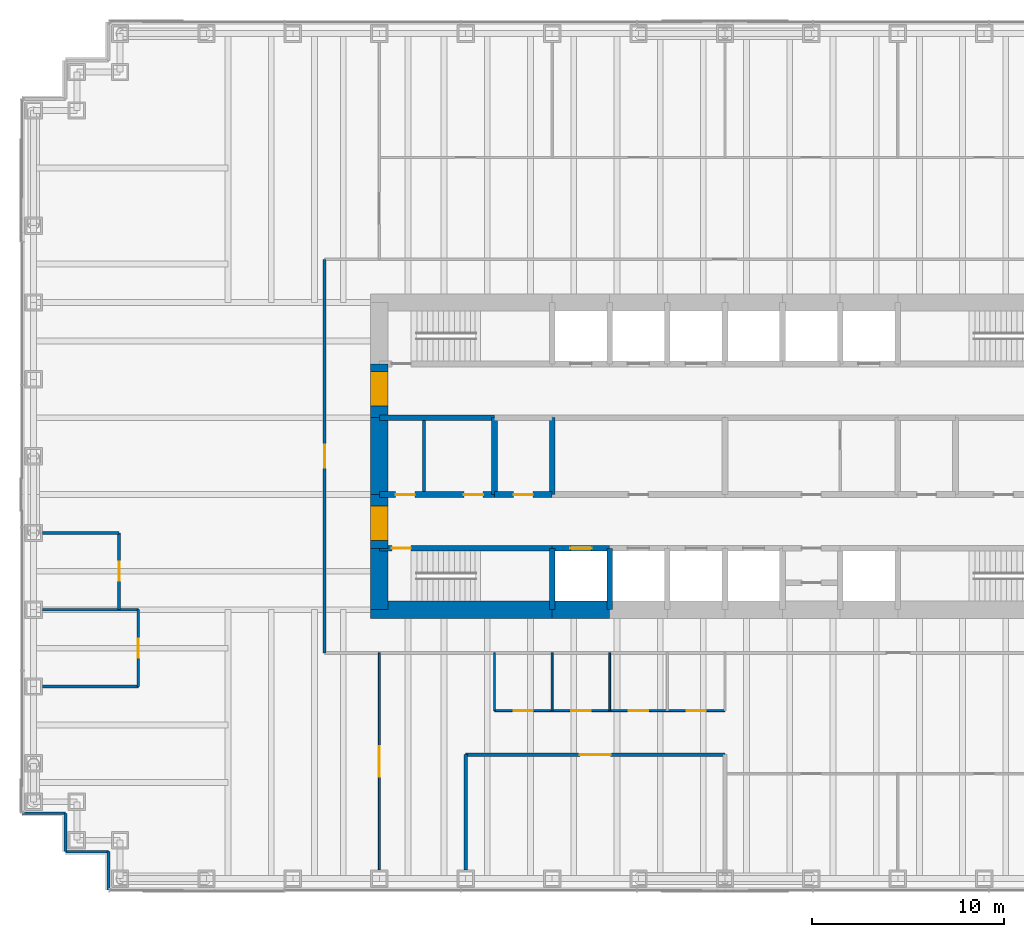
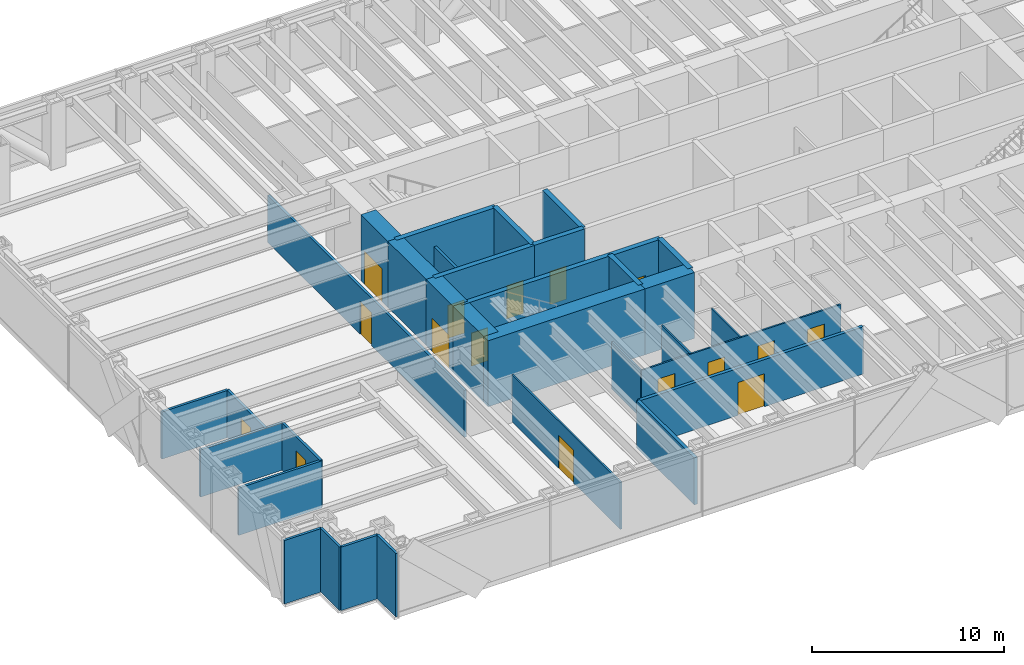
# One storey, part 13 of 17: 33 walls, 16 doors, 16 openings.
"""IFC4 building model written with IfcOpenShell, lengths in metres."""

from ifc_helpers import new_model, si_unit, direction, frame, frame_2d, origin, place, context, subcontext, project, spatial, rectangle, extrude, material, layer, layer_set, type_object, element, fill, save


model = new_model("IFC4")

# Units and contexts
model_context = context("Model", 3, precision=1e-05, world=origin(), true_north=direction((0.0, 1.0)))
body_context = subcontext(model_context, "Body", "Model", "MODEL_VIEW")
ifc_project = project(units=[si_unit("LENGTHUNIT", "METRE"), si_unit("AREAUNIT", "SQUARE_METRE"), si_unit("VOLUMEUNIT", "CUBIC_METRE"), si_unit("PLANEANGLEUNIT", "RADIAN"), si_unit("MASSUNIT", "GRAM", prefix="KILO")], contexts=[model_context])

# Site, building, storey
site_placement = place(None, origin())
site = spatial("IfcSite", under=ifc_project, at=site_placement, CompositionType="ELEMENT")
building_placement = place(site_placement, origin())
building = spatial("IfcBuilding", under=site, at=building_placement, Name="Rheinbord Bourse Tower", CompositionType="ELEMENT")
storey_placement = place(building_placement, frame((0.0, 0.0, 121.5)))
storey = spatial("IfcBuildingStorey", under=building, at=storey_placement, Name="L26", CompositionType="ELEMENT", Elevation=121.5)

# Wall, opening, door
ifc_material_1 = material(Name="Acoustic gypsum board partition", Category="gypsum board")
ifc_layer_1 = layer(ifc_material_1, 0.199951171875)
ifc_layer_set_1 = layer_set([ifc_layer_1], Name="ACOUSTIC PARTITION 200")
wall_type_1 = type_object("IfcWallType", Name="ACOUSTIC PARTITION 200", PredefinedType="PARTITIONING", material=ifc_layer_set_1)
wall_1_placement = place(storey_placement, frame((22.5, 8.449951171875, 0.0), z_axis=(0.0, 0.0, 1.0), x_axis=(1.0, 0.0, 0.0)))
wall_1 = element("IfcWall", 1, at=wall_1_placement, inside=storey, type_object=wall_type_1, Name="Partition L26-02", PredefinedType="PARTITIONING", context=body_context, shape_type="SweptSolid", body=[
    extrude(rectangle(XDim=13.5, YDim=0.199951171875, at=frame_2d((6.75, 0.0))), origin(), (0.0, 0.0, 1.0), 3.0),
])
opening_1_placement = place(wall_1_placement, frame((5.949951171875, 0.0, 0.0)))
opening_1 = element("IfcOpeningElement", 2, at=opening_1_placement, cuts=wall_1, Name="Opening 26D03", PredefinedType="OPENING", context=body_context, shape_type="SweptSolid", body=[
    extrude(rectangle(XDim=1.60009765625, YDim=2.10009765625, at=frame_2d((0.800048828125, 1.050048828125))), frame((0.0, 0.10986328125, 0.0), z_axis=(0.0, -1.0, 0.0), x_axis=(1.0, 0.0, 0.0)), (0.0, 0.0, 1.0), 0.219970703125),
])
ifc_material_2 = material(Name="Timber door", Category="wood")
door_type_1 = type_object("IfcDoorType", Name="DOUBLE ROOM DOOR 1600", OperationType="DOUBLE_DOOR_DOUBLE_SWING", PredefinedType="DOOR", material=ifc_material_2)
door_1_placement = place(opening_1_placement, origin())
door_1 = element("IfcDoor", 3, at=door_1_placement, inside=storey, type_object=door_type_1, Name="Test laboratory door L26", OperationType="SINGLE_SWING_LEFT", OverallHeight=2.10009765625, OverallWidth=1.60009765625, PredefinedType="DOOR", context=body_context, shape_type="SweptSolid", body=[
    extrude(rectangle(XDim=1.60009765625, YDim=2.10009765625, at=frame_2d((0.800048828125, 1.050048828125))), frame((0.0, 0.02490234375, 0.0), z_axis=(0.0, -1.0, 0.0), x_axis=(1.0, 0.0, 0.0)), (0.0, 0.0, 1.0), 0.050048828125),
])
fill(opening_1, door_1)

# Wall
wall_2_placement = place(storey_placement, frame((22.5, 2.449951171875, 0.0), z_axis=(0.0, 0.0, 1.0), x_axis=(0.0, 1.0, 0.0)))
element("IfcWall", 4, at=wall_2_placement, inside=storey, type_object=wall_type_1, Name="Partition L26-17", PredefinedType="PARTITIONING", context=body_context, shape_type="SweptSolid", body=[
    extrude(rectangle(XDim=6.0, YDim=0.199951171875, at=frame_2d((3.0, 0.0))), origin(), (0.0, 0.0, 1.0), 3.0),
])

# Wall, opening, door
ifc_material_3 = material(Name="Concrete C50/60", Category="concrete")
ifc_layer_2 = layer(ifc_material_3, 0.300048828125)
ifc_layer_set_2 = layer_set([ifc_layer_2], Name="CORE INNER WALL 300")
wall_type_2 = type_object("IfcWallType", Name="CORE INNER WALL 300", PredefinedType="SOLIDWALL", material=ifc_layer_set_2)
wall_3_placement = place(storey_placement, frame((18.0, 19.199951171875, 0.0), z_axis=(0.0, 0.0, 1.0), x_axis=(1.0, 0.0, 0.0)))
wall_3 = element("IfcWall", 5, at=wall_3_placement, inside=storey, type_object=wall_type_2, Name="Core wall A1 L26", PredefinedType="SOLIDWALL", context=body_context, shape_type="SweptSolid", body=[
    extrude(rectangle(XDim=9.0, YDim=0.300048828125, at=frame_2d((4.5, 0.0))), origin(), (0.0, 0.0, 1.0), 4.199951171875),
])
opening_2_placement = place(wall_3_placement, frame((0.64990234375, 0.0, 0.0)))
opening_2 = element("IfcOpeningElement", 6, at=opening_2_placement, cuts=wall_3, Name="Opening 2610", PredefinedType="OPENING", context=body_context, shape_type="SweptSolid", body=[
    extrude(rectangle(XDim=1.0, YDim=2.10009765625, at=frame_2d((0.5, 1.050048828125))), frame((0.0, 0.159912109375, 0.0), z_axis=(0.0, -1.0, 0.0), x_axis=(1.0, 0.0, 0.0)), (0.0, 0.0, 1.0), 0.320068359375),
])
ifc_material_4 = material(Name="Steel door", Category="steel")
door_type_2 = type_object("IfcDoorType", Name="DOOR 1000 EI30", OperationType="SINGLE_SWING_LEFT", PredefinedType="DOOR", material=ifc_material_4)
door_2_placement = place(opening_2_placement, origin())
door_2 = element("IfcDoor", 7, at=door_2_placement, inside=storey, type_object=door_type_2, Name="Stair door ST1 L26", OperationType="SINGLE_SWING_LEFT", OverallHeight=2.10009765625, OverallWidth=1.0, PredefinedType="DOOR", context=body_context, shape_type="SweptSolid", body=[
    extrude(rectangle(XDim=1.0, YDim=2.10009765625, at=frame_2d((0.5, 1.050048828125))), frame((0.0, 0.02490234375, 0.0), z_axis=(0.0, -1.0, 0.0), x_axis=(1.0, 0.0, 0.0)), (0.0, 0.0, 1.0), 0.050048828125),
])
fill(opening_2, door_2)

wall_4_placement = place(storey_placement, frame((27.0, 19.199951171875, 0.0), z_axis=(0.0, 0.0, 1.0), x_axis=(1.0, 0.0, 0.0)))
wall_4 = element("IfcWall", 8, at=wall_4_placement, inside=storey, type_object=wall_type_2, Name="Core wall A2 L26", PredefinedType="SOLIDWALL", context=body_context, shape_type="SweptSolid", body=[
    extrude(rectangle(XDim=3.0, YDim=0.300048828125, at=frame_2d((1.5, 0.0))), origin(), (0.0, 0.0, 1.0), 4.199951171875),
])
opening_3_placement = place(wall_4_placement, frame((0.949951171875, 0.0, 0.0)))
opening_3 = element("IfcOpeningElement", 9, at=opening_3_placement, cuts=wall_4, Name="Opening FL1", PredefinedType="OPENING", context=body_context, shape_type="SweptSolid", body=[
    extrude(rectangle(XDim=1.10009765625, YDim=2.199951171875, at=frame_2d((0.550048828125, 1.10009765625))), frame((0.0, 0.159912109375, 0.0), z_axis=(0.0, -1.0, 0.0), x_axis=(1.0, 0.0, 0.0)), (0.0, 0.0, 1.0), 0.320068359375),
])
ifc_material_5 = material(Name="Steel landing door", Category="steel")
door_type_3 = type_object("IfcDoorType", Name="LIFT LANDING DOOR 1100", OperationType="DOUBLE_DOOR_SLIDING", PredefinedType="USERDEFINED", material=ifc_material_5)
door_3_placement = place(opening_3_placement, origin())
door_3 = element("IfcDoor", 10, at=door_3_placement, inside=storey, type_object=door_type_3, Name="Lift landing door FL1 L26", ObjectType="LIFT LANDING DOOR", OperationType="DOUBLE_DOOR_SLIDING", OverallHeight=2.199951171875, OverallWidth=1.10009765625, PredefinedType="USERDEFINED", context=body_context, shape_type="SweptSolid", body=[
    extrude(rectangle(XDim=1.10009765625, YDim=2.199951171875, at=frame_2d((0.550048828125, 1.10009765625))), frame((0.0, 0.02490234375, 0.0), z_axis=(0.0, -1.0, 0.0), x_axis=(1.0, 0.0, 0.0)), (0.0, 0.0, 1.0), 0.050048828125),
])
fill(opening_3, door_3)

# Wall, openings, doors
wall_5_placement = place(storey_placement, frame((18.0, 22.0, 0.0), z_axis=(0.0, 0.0, 1.0), x_axis=(1.0, 0.0, 0.0)))
wall_5 = element("IfcWall", 11, at=wall_5_placement, inside=storey, type_object=wall_type_2, Name="Core wall C1 L26", PredefinedType="SOLIDWALL", context=body_context, shape_type="SweptSolid", body=[
    extrude(rectangle(XDim=6.0, YDim=0.300048828125, at=frame_2d((3.0, 0.0))), origin(), (0.0, 0.0, 1.0), 4.199951171875),
])
opening_4_placement = place(wall_5_placement, frame((4.39990234375, 0.0, 0.0)))
opening_4 = element("IfcOpeningElement", 12, at=opening_4_placement, cuts=wall_5, Name="Opening 26R1", PredefinedType="OPENING", context=body_context, shape_type="SweptSolid", body=[
    extrude(rectangle(XDim=1.0, YDim=2.10009765625, at=frame_2d((0.5, 1.050048828125))), frame((0.0, 0.159912109375, 0.0), z_axis=(0.0, -1.0, 0.0), x_axis=(1.0, 0.0, 0.0)), (0.0, 0.0, 1.0), 0.320068359375),
])
opening_5_placement = place(wall_5_placement, frame((0.85009765625, 0.0, 0.0)))
opening_5 = element("IfcOpeningElement", 13, at=opening_5_placement, cuts=wall_5, Name="Opening 26R9", PredefinedType="OPENING", context=body_context, shape_type="SweptSolid", body=[
    extrude(rectangle(XDim=1.0, YDim=2.10009765625, at=frame_2d((0.5, 1.050048828125))), frame((0.0, 0.159912109375, 0.0), z_axis=(0.0, -1.0, 0.0), x_axis=(1.0, 0.0, 0.0)), (0.0, 0.0, 1.0), 0.320068359375),
])
door_4_placement = place(opening_5_placement, origin())
door_4 = element("IfcDoor", 14, at=door_4_placement, inside=storey, type_object=door_type_2, Name="Staff shower door L26", OperationType="SINGLE_SWING_LEFT", OverallHeight=2.10009765625, OverallWidth=1.0, PredefinedType="DOOR", context=body_context, shape_type="SweptSolid", body=[
    extrude(rectangle(XDim=1.0, YDim=2.10009765625, at=frame_2d((0.5, 1.050048828125))), frame((0.0, 0.02490234375, 0.0), z_axis=(0.0, -1.0, 0.0), x_axis=(1.0, 0.0, 0.0)), (0.0, 0.0, 1.0), 0.050048828125),
])
fill(opening_5, door_4)
ifc_material_6 = material(Name="Timber door", Category="wood")
door_type_4 = type_object("IfcDoorType", Name="DOOR 1000 WC", OperationType="SINGLE_SWING_LEFT", PredefinedType="DOOR", material=ifc_material_6)
door_5_placement = place(opening_4_placement, origin())
door_5 = element("IfcDoor", 15, at=door_5_placement, inside=storey, type_object=door_type_4, Name="WC men door L26", OperationType="SINGLE_SWING_RIGHT", OverallHeight=2.10009765625, OverallWidth=1.0, PredefinedType="DOOR", context=body_context, shape_type="SweptSolid", body=[
    extrude(rectangle(XDim=1.0, YDim=2.10009765625, at=frame_2d((0.5, 1.050048828125))), frame((0.0, 0.02490234375, 0.0), z_axis=(0.0, -1.0, 0.0), x_axis=(1.0, 0.0, 0.0)), (0.0, 0.0, 1.0), 0.050048828125),
])
fill(opening_4, door_5)

# Wall, opening, door
wall_6_placement = place(storey_placement, frame((24.0, 22.0, 0.0), z_axis=(0.0, 0.0, 1.0), x_axis=(1.0, 0.0, 0.0)))
wall_6 = element("IfcWall", 16, at=wall_6_placement, inside=storey, type_object=wall_type_2, Name="Core wall C2 L26", PredefinedType="SOLIDWALL", context=body_context, shape_type="SweptSolid", body=[
    extrude(rectangle(XDim=3.0, YDim=0.300048828125, at=frame_2d((1.5, 0.0))), origin(), (0.0, 0.0, 1.0), 4.199951171875),
])
opening_6_placement = place(wall_6_placement, frame((1.0, 0.0, 0.0)))
opening_6 = element("IfcOpeningElement", 17, at=opening_6_placement, cuts=wall_6, Name="Opening 26R2", PredefinedType="OPENING", context=body_context, shape_type="SweptSolid", body=[
    extrude(rectangle(XDim=1.0, YDim=2.10009765625, at=frame_2d((0.5, 1.050048828125))), frame((0.0, 0.159912109375, 0.0), z_axis=(0.0, -1.0, 0.0), x_axis=(1.0, 0.0, 0.0)), (0.0, 0.0, 1.0), 0.320068359375),
])
door_6_placement = place(opening_6_placement, origin())
door_6 = element("IfcDoor", 18, at=door_6_placement, inside=storey, type_object=door_type_4, Name="Accessible WC door L26", OperationType="SINGLE_SWING_LEFT", OverallHeight=2.10009765625, OverallWidth=1.0, PredefinedType="DOOR", context=body_context, shape_type="SweptSolid", body=[
    extrude(rectangle(XDim=1.0, YDim=2.10009765625, at=frame_2d((0.5, 1.050048828125))), frame((0.0, 0.02490234375, 0.0), z_axis=(0.0, -1.0, 0.0), x_axis=(1.0, 0.0, 0.0)), (0.0, 0.0, 1.0), 0.050048828125),
])
fill(opening_6, door_6)

# Walls
wall_7_placement = place(storey_placement, frame((18.0, 26.0, 0.0), z_axis=(0.0, 0.0, 1.0), x_axis=(1.0, 0.0, 0.0)))
element("IfcWall", 19, at=wall_7_placement, inside=storey, type_object=wall_type_2, Name="Core wall D1 L26", PredefinedType="SOLIDWALL", context=body_context, shape_type="SweptSolid", body=[
    extrude(rectangle(XDim=6.0, YDim=0.300048828125, at=frame_2d((3.0, 0.0))), origin(), (0.0, 0.0, 1.0), 4.199951171875),
])
for number, where, z_axis, x_axis, name in (
    (20, (27.0, 16.0, 0.0), (0.0, 0.0, 1.0), (0.0, 1.0, 0.0), "Core wall SX27 L26"),
    (21, (30.0, 16.0, 0.0), (0.0, 0.0, 1.0), (0.0, 1.0, 0.0), "Core wall SX30 L26"),
):
    element("IfcWall", number, at=place(storey_placement, frame(where, z_axis=z_axis, x_axis=x_axis)), inside=storey, type_object=wall_type_2, Name=name, PredefinedType="SOLIDWALL", context=body_context, shape_type="SweptSolid", body=[
        extrude(rectangle(XDim=3.199951171875, YDim=0.300048828125, at=frame_2d((1.60009765625, 0.0))), origin(), (0.0, 0.0, 1.0), 4.199951171875),
    ])
for number, where, z_axis, x_axis, name in (
    (22, (24.0, 22.0, 0.0), (0.0, 0.0, 1.0), (0.0, 1.0, 0.0), "Core wall MX24 L26"),
    (23, (27.0, 22.0, 0.0), (0.0, 0.0, 1.0), (0.0, 1.0, 0.0), "Core wall MX27 L26"),
):
    element("IfcWall", number, at=place(storey_placement, frame(where, z_axis=z_axis, x_axis=x_axis)), inside=storey, type_object=wall_type_2, Name=name, PredefinedType="SOLIDWALL", context=body_context, shape_type="SweptSolid", body=[
        extrude(rectangle(XDim=4.0, YDim=0.300048828125, at=frame_2d((2.0, 0.0))), origin(), (0.0, 0.0, 1.0), 4.199951171875),
    ])
ifc_material_7 = material(Name="Gypsum board fire partition", Category="gypsum board")
ifc_layer_3 = layer(ifc_material_7, 0.14990234375)
ifc_layer_set_3 = layer_set([ifc_layer_3], Name="CORE PARTITION 150 EI30")
wall_type_3 = type_object("IfcWallType", Name="CORE PARTITION 150 EI30", PredefinedType="PARTITIONING", material=ifc_layer_set_3)
wall_8_placement = place(storey_placement, frame((20.324951171875, 22.14990234375, 0.0), z_axis=(0.0, 0.0, 1.0), x_axis=(0.0, 1.0, 0.0)))
element("IfcWall", 24, at=wall_8_placement, inside=storey, type_object=wall_type_3, Name="Core partition L26-2", PredefinedType="PARTITIONING", context=body_context, shape_type="SweptSolid", body=[
    extrude(rectangle(XDim=3.7001953125, YDim=0.14990234375, at=frame_2d((1.85009765625, 0.0))), origin(), (0.0, 0.0, 1.0), 3.0),
])
ifc_material_8 = material(Name="Concrete C50/60", Category="concrete")
ifc_layer_4 = layer(ifc_material_8, 0.89990234375)
ifc_layer_set_4 = layer_set([ifc_layer_4], Name="CORE WALL 900")
wall_type_4 = type_object("IfcWallType", Name="CORE WALL 900", PredefinedType="SHEAR", material=ifc_layer_set_4)
wall_9_placement = place(storey_placement, frame((17.550048828125, 16.0, 0.0), z_axis=(0.0, 0.0, 1.0), x_axis=(1.0, 0.0, 0.0)))
element("IfcWall", 25, at=wall_9_placement, inside=storey, type_object=wall_type_4, Name="Core wall S1 L26", PredefinedType="SHEAR", context=body_context, shape_type="SweptSolid", body=[
    extrude(rectangle(XDim=9.449951171875, YDim=0.89990234375, at=frame_2d((4.72509765625, 0.0))), origin(), (0.0, 0.0, 1.0), 4.199951171875),
])
wall_10_placement = place(storey_placement, frame((27.0, 16.0, 0.0), z_axis=(0.0, 0.0, 1.0), x_axis=(1.0, 0.0, 0.0)))
element("IfcWall", 26, at=wall_10_placement, inside=storey, type_object=wall_type_4, Name="Core wall S2 L26", PredefinedType="SHEAR", context=body_context, shape_type="SweptSolid", body=[
    extrude(rectangle(XDim=3.0, YDim=0.89990234375, at=frame_2d((1.5, 0.0))), origin(), (0.0, 0.0, 1.0), 4.199951171875),
])

# Wall, opening, door
wall_11_placement = place(storey_placement, frame((18.0, 28.800048828125, 0.0), z_axis=(0.0, 0.0, 1.0), x_axis=(0.0, -1.0, 0.0)))
wall_11 = element("IfcWall", 27, at=wall_11_placement, inside=storey, type_object=wall_type_4, Name="Core wall W2 L26", PredefinedType="SHEAR", context=body_context, shape_type="SweptSolid", body=[
    extrude(rectangle(XDim=2.800048828125, YDim=0.89990234375, at=frame_2d((1.39990234375, 0.0))), origin(), (0.0, 0.0, 1.0), 4.199951171875),
])
opening_7_placement = place(wall_11_placement, frame((0.39990234375, 0.0, 0.0)))
opening_7 = element("IfcOpeningElement", 28, at=opening_7_placement, cuts=wall_11, Name="Opening 26L2", PredefinedType="OPENING", context=body_context, shape_type="SweptSolid", body=[
    extrude(rectangle(XDim=1.800048828125, YDim=2.10009765625, at=frame_2d((0.89990234375, 1.050048828125))), frame((0.0, 0.4599609375, 0.0), z_axis=(0.0, -1.0, 0.0), x_axis=(1.0, 0.0, 0.0)), (0.0, 0.0, 1.0), 0.919921875),
])
ifc_material_9 = material(Name="Steel door", Category="steel")
door_type_5 = type_object("IfcDoorType", Name="DOOR 1800 EI30 DOUBLE", OperationType="DOUBLE_DOOR_DOUBLE_SWING", PredefinedType="DOOR", material=ifc_material_9)
door_7_placement = place(opening_7_placement, origin())
door_7 = element("IfcDoor", 29, at=door_7_placement, inside=storey, type_object=door_type_5, Name="Lobby door 2 L26", OperationType="SINGLE_SWING_LEFT", OverallHeight=2.10009765625, OverallWidth=1.800048828125, PredefinedType="DOOR", context=body_context, shape_type="SweptSolid", body=[
    extrude(rectangle(XDim=1.800048828125, YDim=2.10009765625, at=frame_2d((0.89990234375, 1.050048828125))), frame((0.0, 0.44970703125, 0.0), z_axis=(0.0, -1.0, 0.0), x_axis=(1.0, 0.0, 0.0)), (0.0, 0.0, 1.0), 0.8994140625),
])
fill(opening_7, door_7)

# Wall
wall_12_placement = place(storey_placement, frame((18.0, 26.0, 0.0), z_axis=(0.0, 0.0, 1.0), x_axis=(0.0, -1.0, 0.0)))
element("IfcWall", 30, at=wall_12_placement, inside=storey, type_object=wall_type_4, Name="Core wall W3 L26", PredefinedType="SHEAR", context=body_context, shape_type="SweptSolid", body=[
    extrude(rectangle(XDim=4.0, YDim=0.89990234375, at=frame_2d((2.0, 0.0))), origin(), (0.0, 0.0, 1.0), 4.199951171875),
])

# Wall, opening, door
wall_13_placement = place(storey_placement, frame((18.0, 22.0, 0.0), z_axis=(0.0, 0.0, 1.0), x_axis=(0.0, -1.0, 0.0)))
wall_13 = element("IfcWall", 31, at=wall_13_placement, inside=storey, type_object=wall_type_4, Name="Core wall W4 L26", PredefinedType="SHEAR", context=body_context, shape_type="SweptSolid", body=[
    extrude(rectangle(XDim=2.800048828125, YDim=0.89990234375, at=frame_2d((1.39990234375, 0.0))), origin(), (0.0, 0.0, 1.0), 4.199951171875),
])
opening_8_placement = place(wall_13_placement, frame((0.60009765625, 0.0, 0.0)))
opening_8 = element("IfcOpeningElement", 32, at=opening_8_placement, cuts=wall_13, Name="Opening 26L1", PredefinedType="OPENING", context=body_context, shape_type="SweptSolid", body=[
    extrude(rectangle(XDim=1.800048828125, YDim=2.10009765625, at=frame_2d((0.89990234375, 1.050048828125))), frame((0.0, 0.4599609375, 0.0), z_axis=(0.0, -1.0, 0.0), x_axis=(1.0, 0.0, 0.0)), (0.0, 0.0, 1.0), 0.919921875),
])
door_8_placement = place(opening_8_placement, origin())
door_8 = element("IfcDoor", 33, at=door_8_placement, inside=storey, type_object=door_type_5, Name="Lobby door 1 L26", OperationType="SINGLE_SWING_LEFT", OverallHeight=2.10009765625, OverallWidth=1.800048828125, PredefinedType="DOOR", context=body_context, shape_type="SweptSolid", body=[
    extrude(rectangle(XDim=1.800048828125, YDim=2.10009765625, at=frame_2d((0.89990234375, 1.050048828125))), frame((0.0, 0.44970703125, 0.0), z_axis=(0.0, -1.0, 0.0), x_axis=(1.0, 0.0, 0.0)), (0.0, 0.0, 1.0), 0.8994140625),
])
fill(opening_8, door_8)

# Walls
wall_14_placement = place(storey_placement, frame((18.0, 19.199951171875, 0.0), z_axis=(0.0, 0.0, 1.0), x_axis=(0.0, -1.0, 0.0)))
element("IfcWall", 34, at=wall_14_placement, inside=storey, type_object=wall_type_4, Name="Core wall W5 L26", PredefinedType="SHEAR", context=body_context, shape_type="SweptSolid", body=[
    extrude(rectangle(XDim=3.199951171875, YDim=0.89990234375, at=frame_2d((1.60009765625, 0.0))), origin(), (0.0, 0.0, 1.0), 4.199951171875),
])
ifc_material_10 = material(Name="Black metal rainscreen panel", Category="aluminium")
ifc_layer_5 = layer(ifc_material_10, 0.14990234375)
ifc_layer_set_5 = layer_set([ifc_layer_5], Name="CORNER PIER CLADDING 150")
wall_type_5 = type_object("IfcWallType", Name="CORNER PIER CLADDING 150", PredefinedType="ELEMENTEDWALL", material=ifc_layer_set_5)
wall_15_placement = place(storey_placement, frame((-0.60009765625, 5.39990234375, 0.0), z_axis=(0.0, 0.0, 1.0), x_axis=(1.0, 0.0, 0.0)))
element("IfcWall", 35, at=wall_15_placement, inside=storey, type_object=wall_type_5, Name="Corner pier cladding L26 17", PredefinedType="ELEMENTEDWALL", context=body_context, shape_type="SweptSolid", body=[
    extrude(rectangle(XDim=2.25, YDim=0.14990234375, at=frame_2d((1.125, 0.0))), origin(), (0.0, 0.0, 1.0), 4.0400390625),
])
wall_16_placement = place(storey_placement, frame((1.64990234375, 5.39990234375, 0.0), z_axis=(0.0, 0.0, 1.0), x_axis=(0.0, -1.0, 0.0)))
element("IfcWall", 36, at=wall_16_placement, inside=storey, type_object=wall_type_5, Name="Corner pier cladding L26 18", PredefinedType="ELEMENTEDWALL", context=body_context, shape_type="SweptSolid", body=[
    extrude(rectangle(XDim=2.0, YDim=0.14990234375, at=frame_2d((1.0, 0.0))), origin(), (0.0, 0.0, 1.0), 4.0400390625),
])
wall_17_placement = place(storey_placement, frame((1.64990234375, 3.39990234375, 0.0), z_axis=(0.0, 0.0, 1.0), x_axis=(1.0, 0.0, 0.0)))
element("IfcWall", 37, at=wall_17_placement, inside=storey, type_object=wall_type_5, Name="Corner pier cladding L26 19", PredefinedType="ELEMENTEDWALL", context=body_context, shape_type="SweptSolid", body=[
    extrude(rectangle(XDim=2.25, YDim=0.14990234375, at=frame_2d((1.125, 0.0))), origin(), (0.0, 0.0, 1.0), 4.0400390625),
])
wall_18_placement = place(storey_placement, frame((3.89990234375, 3.39990234375, 0.0), z_axis=(0.0, 0.0, 1.0), x_axis=(0.0, -1.0, 0.0)))
element("IfcWall", 38, at=wall_18_placement, inside=storey, type_object=wall_type_5, Name="Corner pier cladding L26 20", PredefinedType="ELEMENTEDWALL", context=body_context, shape_type="SweptSolid", body=[
    extrude(rectangle(XDim=2.0, YDim=0.14990234375, at=frame_2d((1.0, 0.0))), origin(), (0.0, 0.0, 1.0), 4.0400390625),
])

# Wall, opening, door
ifc_material_11 = material(Name="Gypsum board corridor partition", Category="gypsum board")
ifc_layer_6 = layer(ifc_material_11, 0.14990234375)
ifc_layer_set_6 = layer_set([ifc_layer_6], Name="CORRIDOR PARTITION 150 EI30")
wall_type_6 = type_object("IfcWallType", Name="CORRIDOR PARTITION 150 EI30", PredefinedType="PARTITIONING", material=ifc_layer_set_6)
wall_19_placement = place(storey_placement, frame((15.14990234375, 13.75, 0.0), z_axis=(0.0, 0.0, 1.0), x_axis=(0.0, 1.0, 0.0)))
wall_19 = element("IfcWall", 39, at=wall_19_placement, inside=storey, type_object=wall_type_6, Name="Partition L26-14", PredefinedType="PARTITIONING", context=body_context, shape_type="SweptSolid", body=[
    extrude(rectangle(XDim=20.5, YDim=0.14990234375, at=frame_2d((10.25, 0.0))), origin(), (0.0, 0.0, 1.0), 3.0),
])
opening_9_placement = place(wall_19_placement, frame((9.64990234375, 0.0, 0.0)))
opening_9 = element("IfcOpeningElement", 40, at=opening_9_placement, cuts=wall_19, Name="Opening 26D19", PredefinedType="OPENING", context=body_context, shape_type="SweptSolid", body=[
    extrude(rectangle(XDim=1.199951171875, YDim=2.10009765625, at=frame_2d((0.60009765625, 1.050048828125))), frame((0.0, 0.0849609375, 0.0), z_axis=(0.0, -1.0, 0.0), x_axis=(1.0, 0.0, 0.0)), (0.0, 0.0, 1.0), 0.169921875),
])
ifc_material_12 = material(Name="Timber fire door", Category="wood")
door_type_6 = type_object("IfcDoorType", Name="SUITE ENTRANCE DOOR 1200 EI30", OperationType="SINGLE_SWING_LEFT", PredefinedType="DOOR", material=ifc_material_12)
door_9_placement = place(opening_9_placement, origin())
door_9 = element("IfcDoor", 41, at=door_9_placement, inside=storey, type_object=door_type_6, Name="Suite entrance 1 door L26", OperationType="SINGLE_SWING_LEFT", OverallHeight=2.10009765625, OverallWidth=1.199951171875, PredefinedType="DOOR", context=body_context, shape_type="SweptSolid", body=[
    extrude(rectangle(XDim=1.199951171875, YDim=2.10009765625, at=frame_2d((0.60009765625, 1.050048828125))), frame((0.0, 0.02490234375, 0.0), z_axis=(0.0, -1.0, 0.0), x_axis=(1.0, 0.0, 0.0)), (0.0, 0.0, 1.0), 0.050048828125),
])
fill(opening_9, door_9)

# Walls
ifc_material_13 = material(Name="Gypsum board fire partition", Category="gypsum board")
ifc_layer_7 = layer(ifc_material_13, 0.14990234375)
ifc_layer_set_7 = layer_set([ifc_layer_7], Name="FIRE PARTITION 150 EI60")
wall_type_7 = type_object("IfcWallType", Name="FIRE PARTITION 150 EI60", PredefinedType="PARTITIONING", material=ifc_layer_set_7)
for number, where, z_axis, x_axis, name in (
    (42, (0.449951171875, 12.0, 0.0), (0.0, 0.0, 1.0), (1.0, 0.0, 0.0), "Partition L26-04"),
    (43, (0.449951171875, 16.0, 0.0), (0.0, 0.0, 1.0), (1.0, 0.0, 0.0), "Partition L26-06"),
):
    element("IfcWall", number, at=place(storey_placement, frame(where, z_axis=z_axis, x_axis=x_axis)), inside=storey, type_object=wall_type_7, Name=name, PredefinedType="PARTITIONING", context=body_context, shape_type="SweptSolid", body=[
        extrude(rectangle(XDim=5.0, YDim=0.14990234375, at=frame_2d((2.5, 0.0))), origin(), (0.0, 0.0, 1.0), 3.0),
    ])

# Wall, opening, door
wall_20_placement = place(storey_placement, frame((5.449951171875, 12.0, 0.0), z_axis=(0.0, 0.0, 1.0), x_axis=(0.0, 1.0, 0.0)))
wall_20 = element("IfcWall", 44, at=wall_20_placement, inside=storey, type_object=wall_type_7, Name="Partition L26-13", PredefinedType="PARTITIONING", context=body_context, shape_type="SweptSolid", body=[
    extrude(rectangle(XDim=4.0, YDim=0.14990234375, at=frame_2d((2.0, 0.0))), origin(), (0.0, 0.0, 1.0), 3.0),
])
opening_10_placement = place(wall_20_placement, frame((1.5, 0.0, 0.0)))
opening_10 = element("IfcOpeningElement", 45, at=opening_10_placement, cuts=wall_20, Name="Opening 26D08", PredefinedType="OPENING", context=body_context, shape_type="SweptSolid", body=[
    extrude(rectangle(XDim=1.0, YDim=2.10009765625, at=frame_2d((0.5, 1.050048828125))), frame((0.0, 0.0849609375, 0.0), z_axis=(0.0, -1.0, 0.0), x_axis=(1.0, 0.0, 0.0)), (0.0, 0.0, 1.0), 0.169921875),
])
ifc_material_14 = material(Name="Timber fire door", Category="wood")
door_type_7 = type_object("IfcDoorType", Name="FIRE DOOR 1000 EI60", OperationType="SINGLE_SWING_LEFT", PredefinedType="DOOR", material=ifc_material_14)
door_10_placement = place(opening_10_placement, origin())
door_10 = element("IfcDoor", 46, at=door_10_placement, inside=storey, type_object=door_type_7, Name="Server staging room door L26", OperationType="SINGLE_SWING_LEFT", OverallHeight=2.10009765625, OverallWidth=1.0, PredefinedType="DOOR", context=body_context, shape_type="SweptSolid", body=[
    extrude(rectangle(XDim=1.0, YDim=2.10009765625, at=frame_2d((0.5, 1.050048828125))), frame((0.0, 0.02490234375, 0.0), z_axis=(0.0, -1.0, 0.0), x_axis=(1.0, 0.0, 0.0)), (0.0, 0.0, 1.0), 0.050048828125),
])
fill(opening_10, door_10)

# Wall, openings, doors
ifc_material_15 = material(Name="Toughened laminated glass partition", Category="glass")
ifc_layer_8 = layer(ifc_material_15, 0.10009765625)
ifc_layer_set_8 = layer_set([ifc_layer_8], Name="GLAZED PARTITION 100")
wall_type_8 = type_object("IfcWallType", Name="GLAZED PARTITION 100", PredefinedType="PARTITIONING", material=ifc_layer_set_8)
wall_21_placement = place(storey_placement, frame((24.0, 10.75, 0.0), z_axis=(0.0, 0.0, 1.0), x_axis=(1.0, 0.0, 0.0)))
wall_21 = element("IfcWall", 47, at=wall_21_placement, inside=storey, type_object=wall_type_8, Name="Partition L26-03", PredefinedType="PARTITIONING", context=body_context, shape_type="SweptSolid", body=[
    extrude(rectangle(XDim=12.0, YDim=0.10009765625, at=frame_2d((6.0, 0.0))), origin(), (0.0, 0.0, 1.0), 3.0),
])
opening_11_placement = place(wall_21_placement, frame((1.0, 0.0, 0.0)))
opening_11 = element("IfcOpeningElement", 48, at=opening_11_placement, cuts=wall_21, Name="Opening 26D04", PredefinedType="OPENING", context=body_context, shape_type="SweptSolid", body=[
    extrude(rectangle(XDim=1.0, YDim=2.10009765625, at=frame_2d((0.5, 1.050048828125))), frame((0.0, 0.06005859375, 0.0), z_axis=(0.0, -1.0, 0.0), x_axis=(1.0, 0.0, 0.0)), (0.0, 0.0, 1.0), 0.1201171875),
])
opening_12_placement = place(wall_21_placement, frame((4.0, 0.0, 0.0)))
opening_12 = element("IfcOpeningElement", 49, at=opening_12_placement, cuts=wall_21, Name="Opening 26D05", PredefinedType="OPENING", context=body_context, shape_type="SweptSolid", body=[
    extrude(rectangle(XDim=1.0, YDim=2.10009765625, at=frame_2d((0.5, 1.050048828125))), frame((0.0, 0.06005859375, 0.0), z_axis=(0.0, -1.0, 0.0), x_axis=(1.0, 0.0, 0.0)), (0.0, 0.0, 1.0), 0.1201171875),
])
opening_13_placement = place(wall_21_placement, frame((7.0, 0.0, 0.0)))
opening_13 = element("IfcOpeningElement", 50, at=opening_13_placement, cuts=wall_21, Name="Opening 26D06", PredefinedType="OPENING", context=body_context, shape_type="SweptSolid", body=[
    extrude(rectangle(XDim=1.0, YDim=2.10009765625, at=frame_2d((0.5, 1.050048828125))), frame((0.0, 0.06005859375, 0.0), z_axis=(0.0, -1.0, 0.0), x_axis=(1.0, 0.0, 0.0)), (0.0, 0.0, 1.0), 0.1201171875),
])
opening_14_placement = place(wall_21_placement, frame((10.0, 0.0, 0.0)))
opening_14 = element("IfcOpeningElement", 51, at=opening_14_placement, cuts=wall_21, Name="Opening 26D07", PredefinedType="OPENING", context=body_context, shape_type="SweptSolid", body=[
    extrude(rectangle(XDim=1.0, YDim=2.10009765625, at=frame_2d((0.5, 1.050048828125))), frame((0.0, 0.06005859375, 0.0), z_axis=(0.0, -1.0, 0.0), x_axis=(1.0, 0.0, 0.0)), (0.0, 0.0, 1.0), 0.1201171875),
])
ifc_material_16 = material(Name="Timber door", Category="wood")
door_type_8 = type_object("IfcDoorType", Name="ROOM DOOR 1000", OperationType="SINGLE_SWING_LEFT", PredefinedType="DOOR", material=ifc_material_16)
door_11_placement = place(opening_11_placement, origin())
door_11 = element("IfcDoor", 52, at=door_11_placement, inside=storey, type_object=door_type_8, Name="Quiet room door L26", OperationType="SINGLE_SWING_LEFT", OverallHeight=2.10009765625, OverallWidth=1.0, PredefinedType="DOOR", context=body_context, shape_type="SweptSolid", body=[
    extrude(rectangle(XDim=1.0, YDim=2.10009765625, at=frame_2d((0.5, 1.050048828125))), frame((0.0, 0.02490234375, 0.0), z_axis=(0.0, -1.0, 0.0), x_axis=(1.0, 0.0, 0.0)), (0.0, 0.0, 1.0), 0.050048828125),
])
fill(opening_11, door_11)
door_12_placement = place(opening_12_placement, origin())
door_12 = element("IfcDoor", 53, at=door_12_placement, inside=storey, type_object=door_type_8, Name="Quiet room door L26", OperationType="SINGLE_SWING_LEFT", OverallHeight=2.10009765625, OverallWidth=1.0, PredefinedType="DOOR", context=body_context, shape_type="SweptSolid", body=[
    extrude(rectangle(XDim=1.0, YDim=2.10009765625, at=frame_2d((0.5, 1.050048828125))), frame((0.0, 0.02490234375, 0.0), z_axis=(0.0, -1.0, 0.0), x_axis=(1.0, 0.0, 0.0)), (0.0, 0.0, 1.0), 0.050048828125),
])
fill(opening_12, door_12)
door_13_placement = place(opening_13_placement, origin())
door_13 = element("IfcDoor", 54, at=door_13_placement, inside=storey, type_object=door_type_8, Name="Quiet room door L26", OperationType="SINGLE_SWING_RIGHT", OverallHeight=2.10009765625, OverallWidth=1.0, PredefinedType="DOOR", context=body_context, shape_type="SweptSolid", body=[
    extrude(rectangle(XDim=1.0, YDim=2.10009765625, at=frame_2d((0.5, 1.050048828125))), frame((0.0, 0.02490234375, 0.0), z_axis=(0.0, -1.0, 0.0), x_axis=(1.0, 0.0, 0.0)), (0.0, 0.0, 1.0), 0.050048828125),
])
fill(opening_13, door_13)
door_14_placement = place(opening_14_placement, origin())
door_14 = element("IfcDoor", 55, at=door_14_placement, inside=storey, type_object=door_type_8, Name="Quiet room door L26", OperationType="SINGLE_SWING_RIGHT", OverallHeight=2.10009765625, OverallWidth=1.0, PredefinedType="DOOR", context=body_context, shape_type="SweptSolid", body=[
    extrude(rectangle(XDim=1.0, YDim=2.10009765625, at=frame_2d((0.5, 1.050048828125))), frame((0.0, 0.02490234375, 0.0), z_axis=(0.0, -1.0, 0.0), x_axis=(1.0, 0.0, 0.0)), (0.0, 0.0, 1.0), 0.050048828125),
])
fill(opening_14, door_14)

# Wall, opening, door
wall_22_placement = place(storey_placement, frame((18.0, 2.449951171875, 0.0), z_axis=(0.0, 0.0, 1.0), x_axis=(0.0, 1.0, 0.0)))
wall_22 = element("IfcWall", 56, at=wall_22_placement, inside=storey, type_object=wall_type_8, Name="Partition L26-15", PredefinedType="PARTITIONING", context=body_context, shape_type="SweptSolid", body=[
    extrude(rectangle(XDim=11.300048828125, YDim=0.10009765625, at=frame_2d((5.64990234375, 0.0))), origin(), (0.0, 0.0, 1.0), 3.0),
])
opening_15_placement = place(wall_22_placement, frame((4.85009765625, 0.0, 0.0)))
opening_15 = element("IfcOpeningElement", 57, at=opening_15_placement, cuts=wall_22, Name="Opening 26D15", PredefinedType="OPENING", context=body_context, shape_type="SweptSolid", body=[
    extrude(rectangle(XDim=1.60009765625, YDim=2.10009765625, at=frame_2d((0.800048828125, 1.050048828125))), frame((0.0, 0.06005859375, 0.0), z_axis=(0.0, -1.0, 0.0), x_axis=(1.0, 0.0, 0.0)), (0.0, 0.0, 1.0), 0.1201171875),
])
door_15_placement = place(opening_15_placement, origin())
door_15 = element("IfcDoor", 58, at=door_15_placement, inside=storey, type_object=door_type_1, Name="Open area door L26", OperationType="SINGLE_SWING_LEFT", OverallHeight=2.10009765625, OverallWidth=1.60009765625, PredefinedType="DOOR", context=body_context, shape_type="SweptSolid", body=[
    extrude(rectangle(XDim=1.60009765625, YDim=2.10009765625, at=frame_2d((0.800048828125, 1.050048828125))), frame((0.0, 0.02490234375, 0.0), z_axis=(0.0, -1.0, 0.0), x_axis=(1.0, 0.0, 0.0)), (0.0, 0.0, 1.0), 0.050048828125),
])
fill(opening_15, door_15)

# Walls
for number, where, z_axis, x_axis, name in (
    (59, (24.0, 10.75, 0.0), (0.0, 0.0, 1.0), (0.0, 1.0, 0.0), "Partition L26-18"),
    (60, (27.0, 10.75, 0.0), (0.0, 0.0, 1.0), (0.0, 1.0, 0.0), "Partition L26-19"),
    (61, (30.0, 10.75, 0.0), (0.0, 0.0, 1.0), (0.0, 1.0, 0.0), "Partition L26-21"),
):
    element("IfcWall", number, at=place(storey_placement, frame(where, z_axis=z_axis, x_axis=x_axis)), inside=storey, type_object=wall_type_8, Name=name, PredefinedType="PARTITIONING", context=body_context, shape_type="SweptSolid", body=[
        extrude(rectangle(XDim=3.0, YDim=0.10009765625, at=frame_2d((1.5, 0.0))), origin(), (0.0, 0.0, 1.0), 3.0),
    ])
ifc_material_17 = material(Name="Gypsum board partition", Category="gypsum board")
ifc_layer_9 = layer(ifc_material_17, 0.14990234375)
ifc_layer_set_9 = layer_set([ifc_layer_9], Name="PARTITION 150")
wall_type_9 = type_object("IfcWallType", Name="PARTITION 150", PredefinedType="PARTITIONING", material=ifc_layer_set_9)
wall_23_placement = place(storey_placement, frame((0.449951171875, 20.0, 0.0), z_axis=(0.0, 0.0, 1.0), x_axis=(1.0, 0.0, 0.0)))
element("IfcWall", 62, at=wall_23_placement, inside=storey, type_object=wall_type_9, Name="Partition L26-07", PredefinedType="PARTITIONING", context=body_context, shape_type="SweptSolid", body=[
    extrude(rectangle(XDim=4.0, YDim=0.14990234375, at=frame_2d((2.0, 0.0))), origin(), (0.0, 0.0, 1.0), 3.0),
])

# Wall, opening, door
wall_24_placement = place(storey_placement, frame((4.449951171875, 16.0, 0.0), z_axis=(0.0, 0.0, 1.0), x_axis=(0.0, 1.0, 0.0)))
wall_24 = element("IfcWall", 63, at=wall_24_placement, inside=storey, type_object=wall_type_9, Name="Partition L26-12", PredefinedType="PARTITIONING", context=body_context, shape_type="SweptSolid", body=[
    extrude(rectangle(XDim=4.0, YDim=0.14990234375, at=frame_2d((2.0, 0.0))), origin(), (0.0, 0.0, 1.0), 3.0),
])
opening_16_placement = place(wall_24_placement, frame((1.5, 0.0, 0.0)))
opening_16 = element("IfcOpeningElement", 64, at=opening_16_placement, cuts=wall_24, Name="Opening 26D09", PredefinedType="OPENING", context=body_context, shape_type="SweptSolid", body=[
    extrude(rectangle(XDim=1.0, YDim=2.10009765625, at=frame_2d((0.5, 1.050048828125))), frame((0.0, 0.0849609375, 0.0), z_axis=(0.0, -1.0, 0.0), x_axis=(1.0, 0.0, 0.0)), (0.0, 0.0, 1.0), 0.169921875),
])
door_16_placement = place(opening_16_placement, origin())
door_16 = element("IfcDoor", 65, at=door_16_placement, inside=storey, type_object=door_type_8, Name="Store door L26", OperationType="SINGLE_SWING_LEFT", OverallHeight=2.10009765625, OverallWidth=1.0, PredefinedType="DOOR", context=body_context, shape_type="SweptSolid", body=[
    extrude(rectangle(XDim=1.0, YDim=2.10009765625, at=frame_2d((0.5, 1.050048828125))), frame((0.0, 0.02490234375, 0.0), z_axis=(0.0, -1.0, 0.0), x_axis=(1.0, 0.0, 0.0)), (0.0, 0.0, 1.0), 0.050048828125),
])
fill(opening_16, door_16)

save(model, "model.ifc")
